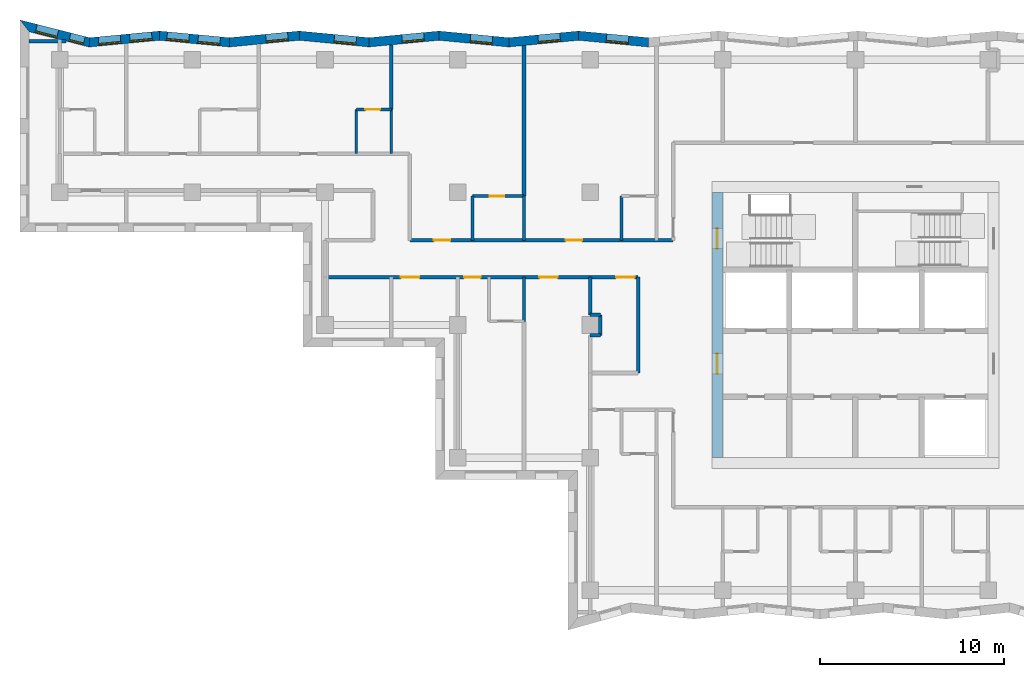
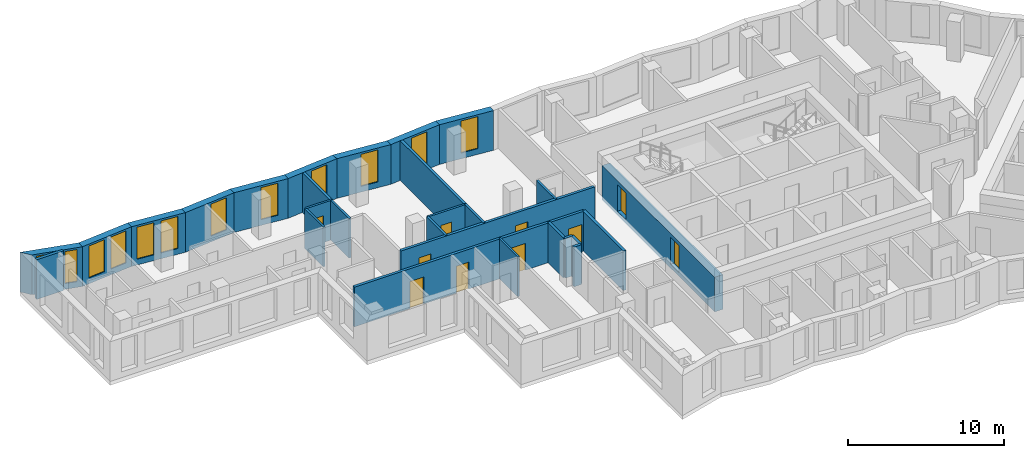
# One storey, part 5 of 12: 28 walls, 12 windows, 10 doors, 22 openings.
"""IFC4 building model written with IfcOpenShell, lengths in metres."""

import ifcopenshell
import ifcopenshell.guid

model = None  # the IFC model being written
_history = None  # IfcOwnerHistory: only IFC2X3 demands one
_inside = {}  # id of a spatial element -> (the spatial element, [elements in it])
_under = {}  # id of a project, library or spatial element -> (it, [spatial elements below it])
_declared = {}  # id of a project -> (the project, [libraries it declares])
_typed = {}  # id of a type object -> (the type object, [elements of that type])
_made_of = {}  # id of a material, layer set ... -> (it, [elements and type objects made of it])


def new_model(schema):
    """Start an empty IFC model of exactly this schema.

    Asked for "IFC4X3", IfcOpenShell would pick the latest addendum, in which some entities
    have other attributes; the version numbers below select the first issue.
    IFC2X3 requires an IfcOwnerHistory on every rooted entity: one is made here for all.
    """
    global model, _history
    if schema == "IFC4X3":
        model = ifcopenshell.file(schema_version=(4, 3, 0, 0))
    else:
        model = ifcopenshell.file(schema=schema)
    _inside.clear()
    _under.clear()
    _declared.clear()
    _typed.clear()
    _made_of.clear()
    _history = None
    if model.schema == "IFC2X3":
        org = make("IfcOrganization", Name="unknown")
        user = make(
            "IfcPersonAndOrganization",
            ThePerson=make("IfcPerson", FamilyName="unknown"),
            TheOrganization=org,
        )
        app = make(
            "IfcApplication",
            ApplicationDeveloper=org,
            Version="unknown",
            ApplicationFullName="unknown",
            ApplicationIdentifier="unknown",
        )
        _history = make(
            "IfcOwnerHistory",
            OwningUser=user,
            OwningApplication=app,
            ChangeAction="ADDED",
            CreationDate=0,
        )
    return model


def make(cls, **values):
    """One entity of the class cls with the attributes given. An attribute that is None is left unset."""
    return model.create_entity(
        cls, **{name: value for name, value in values.items() if value is not None}
    )


def rooted(cls, **values):
    """An entity with a GlobalId (a new one), such as an element, a storey or a relation."""
    return make(cls, GlobalId=ifcopenshell.guid.new(), OwnerHistory=_history, **values)


def si_unit(unit_type, name, prefix=None):
    """IfcSIUnit, for example si_unit("LENGTHUNIT", "METRE", prefix="MILLI")."""
    return make("IfcSIUnit", UnitType=unit_type, Prefix=prefix, Name=name)


def assignment(units):
    """IfcUnitAssignment: the units of a project."""
    return None if units is None else make("IfcUnitAssignment", Units=units)


def point(xyz):
    """IfcCartesianPoint."""
    return None if xyz is None else make("IfcCartesianPoint", Coordinates=xyz)


def direction(xyz):
    """IfcDirection."""
    return None if xyz is None else make("IfcDirection", DirectionRatios=xyz)


def frame(location, z_axis=None, x_axis=None):
    """IfcAxis2Placement3D, a coordinate frame: its origin and axes. An axis left out is left unset."""
    return make(
        "IfcAxis2Placement3D",
        Location=point(location),
        Axis=direction(z_axis),
        RefDirection=direction(x_axis),
    )


def frame_2d(location, x_axis=None):
    """IfcAxis2Placement2D, a coordinate frame in the plane: its origin and x axis."""
    return make(
        "IfcAxis2Placement2D", Location=point(location), RefDirection=direction(x_axis)
    )


def origin():
    """The frame at (0, 0, 0) with its axes left unset."""
    return frame((0.0, 0.0, 0.0))


def place(relative_to, where):
    """IfcLocalPlacement: puts the frame where relative to a parent placement (None: the world)."""
    return make(
        "IfcLocalPlacement", PlacementRelTo=relative_to, RelativePlacement=where
    )


def context(
    kind, dimensions, precision=None, world=None, true_north=None, identifier=None
):
    """IfcGeometricRepresentationContext, for example the 3D "Model" context."""
    return make(
        "IfcGeometricRepresentationContext",
        ContextIdentifier=identifier,
        ContextType=kind,
        CoordinateSpaceDimension=dimensions,
        Precision=precision,
        WorldCoordinateSystem=world,
        TrueNorth=true_north,
    )


def subcontext(parent, identifier, kind, view, scale=None):
    """IfcGeometricRepresentationSubContext, for example "Body" below "Model"."""
    return make(
        "IfcGeometricRepresentationSubContext",
        ContextIdentifier=identifier,
        ContextType=kind,
        ParentContext=parent,
        TargetScale=scale,
        TargetView=view,
    )


def project(units=None, contexts=None):
    """IfcProject with its units and contexts."""
    return rooted(
        "IfcProject",
        Name="project",
        RepresentationContexts=contexts,
        UnitsInContext=assignment(units),
    )


def spatial(cls, under=None, at=None, **own):
    """A site, building, storey or space (cls), placed at a placement, below another one or the project."""
    s = rooted(cls, ObjectPlacement=at, **own)
    if under is not None:
        _under.setdefault(under.id(), (under, []))[1].append(s)
    return s


def polyline(points):
    """IfcPolyline through the points."""
    return make("IfcPolyline", Points=[point(p) for p in points])


def profile(cls, at=None, kind="AREA", **sizes):
    """A parametric profile (cls). Its sizes go by their IFC names, for example OverallWidth=200.0."""
    return make(cls, ProfileType=kind, Position=at, **sizes)


def rectangle(**sizes):
    """IfcRectangleProfileDef."""
    return profile("IfcRectangleProfileDef", **sizes)


def outline(outer, holes=None, kind="AREA"):
    """IfcArbitraryClosedProfileDef: a profile drawn as a closed curve; with holes, ...WithVoids."""
    if holes is None:
        return make("IfcArbitraryClosedProfileDef", ProfileType=kind, OuterCurve=outer)
    return make(
        "IfcArbitraryProfileDefWithVoids",
        ProfileType=kind,
        OuterCurve=outer,
        InnerCurves=holes,
    )


def extrude(swept, where, along, depth):
    """IfcExtrudedAreaSolid: the profile swept, set in the frame where, extruded along a direction by depth."""
    return make(
        "IfcExtrudedAreaSolid",
        SweptArea=swept,
        Position=where,
        ExtrudedDirection=direction(along),
        Depth=depth,
    )


def shape(context_of_items, identifier, shape_type, items):
    """IfcShapeRepresentation: the items that make up one representation, for example the "Body"."""
    return make(
        "IfcShapeRepresentation",
        ContextOfItems=context_of_items,
        RepresentationIdentifier=identifier,
        RepresentationType=shape_type,
        Items=items,
    )


def material(Name=None, Category=None):
    """IfcMaterial."""
    return make("IfcMaterial", Name=Name, Category=Category)


def layer(
    of_material, thickness, ventilated=None, Name=None, Category=None, Priority=None
):
    """IfcMaterialLayer: one layer of a wall or slab, of a material (None: an air gap)."""
    return make(
        "IfcMaterialLayer",
        Material=of_material,
        LayerThickness=thickness,
        IsVentilated=ventilated,
        Name=Name,
        Category=Category,
        Priority=Priority,
    )


def layer_set(layers, Name=None):
    """IfcMaterialLayerSet."""
    return make("IfcMaterialLayerSet", MaterialLayers=layers, LayerSetName=Name)


def made_of(thing, what):
    """Note that an element or type object is made of a material, layer set ...; save() writes the relation."""
    if what is not None:
        _made_of.setdefault(what.id(), (what, []))[1].append(thing)
    return thing


def type_object(cls, material=None, **own):
    """A type object (cls), such as IfcWallType, which elements share."""
    return made_of(rooted(cls, **own), material)


def element(
    cls,
    number,
    at=None,
    inside=None,
    cuts=None,
    type_object=None,
    material=None,
    context=None,
    identifier="Body",
    shape_type=None,
    held_by="IfcProductDefinitionShape",
    body=None,
    shapes=None,
    **own,
):
    """One element of the class cls, such as IfcWall. Its Tag is "e" and its number.

    at: its placement. inside: the storey or other place that contains it. cuts: it is an
    opening in that element (IfcRelVoidsElement). A single representation is given by context,
    identifier, shape_type and body (its items); several are given by shapes. held_by: the class
    of the entity that holds the representations. save() writes the other relations.
    """
    e = rooted(cls, Tag="e%d" % number, ObjectPlacement=at, **own)
    if body is not None:
        shapes = [shape(context, identifier, shape_type, body)]
    if shapes is not None:
        e.Representation = make(held_by, Representations=shapes)
    if inside is not None:
        _inside.setdefault(inside.id(), (inside, []))[1].append(e)
    if cuts is not None:
        rooted(
            "IfcRelVoidsElement", RelatingBuildingElement=cuts, RelatedOpeningElement=e
        )
    if type_object is not None:
        _typed.setdefault(type_object.id(), (type_object, []))[1].append(e)
    return made_of(e, material)


def fill(opening, filler):
    """IfcRelFillsElement: the door or window that sits in an opening."""
    return rooted(
        "IfcRelFillsElement",
        RelatingOpeningElement=opening,
        RelatedBuildingElement=filler,
    )


def aggregate(whole, parts):
    """IfcRelAggregates: a whole, such as a stair, and the parts it consists of."""
    return rooted("IfcRelAggregates", RelatingObject=whole, RelatedObjects=parts)


def save(model, path):
    """Write the relations noted so far, then the file.

    IfcRelAggregates (storeys below a building ...), IfcRelContainedInSpatialStructure (elements
    in a storey), IfcRelDefinesByType, IfcRelAssociatesMaterial and IfcRelDeclares: one each for
    every whole, place, type object, material and project.
    """
    for whole, parts in _under.values():
        aggregate(whole, parts)
    for where, things in _inside.values():
        rooted(
            "IfcRelContainedInSpatialStructure",
            RelatedElements=things,
            RelatingStructure=where,
        )
    for kind, things in _typed.values():
        rooted("IfcRelDefinesByType", RelatedObjects=things, RelatingType=kind)
    for what, things in _made_of.values():
        rooted("IfcRelAssociatesMaterial", RelatedObjects=things, RelatingMaterial=what)
    for by, libraries in _declared.values():
        rooted("IfcRelDeclares", RelatingContext=by, RelatedDefinitions=libraries)
    model.write(path)


model = new_model("IFC4")

# Units and contexts
model_context = context("Model", 3, precision=1e-05, world=origin(), true_north=direction((0.0, 1.0)))
body_context = subcontext(model_context, "Body", "Model", "MODEL_VIEW")
ifc_project = project(units=[si_unit("LENGTHUNIT", "METRE"), si_unit("AREAUNIT", "SQUARE_METRE"), si_unit("VOLUMEUNIT", "CUBIC_METRE"), si_unit("PLANEANGLEUNIT", "RADIAN"), si_unit("MASSUNIT", "GRAM", prefix="KILO")], contexts=[model_context])

# Site, building, storey
site_placement = place(None, origin())
site = spatial("IfcSite", under=ifc_project, at=site_placement, CompositionType="ELEMENT")
building_placement = place(site_placement, origin())
building = spatial("IfcBuilding", under=site, at=building_placement, Name="Windrow Commons", CompositionType="ELEMENT")
storey_placement = place(building_placement, frame((0.0, 0.0, 142.2)))
storey = spatial("IfcBuildingStorey", under=building, at=storey_placement, Name="L38", CompositionType="ELEMENT", Elevation=142.2)

# Wall, opening, window
ifc_material_1 = material(Name="Brick masonry, red clay brick", Category="masonry")
ifc_layer_1 = layer(ifc_material_1, 0.5)
ifc_layer_set_1 = layer_set([ifc_layer_1], Name="Brick facade wall 500")
wall_type_1 = type_object("IfcWallType", Name="Brick facade wall 500", PredefinedType="SOLIDWALL", material=ifc_layer_set_1)
wall_1_placement = place(storey_placement, frame((53.5581, 72.9489, 0.0), z_axis=(0.0, 0.0, 1.0), x_axis=(-0.9954966527, 0.0947967005, 0.0)))
wall_1 = element("IfcWall", 1, at=wall_1_placement, inside=storey, type_object=wall_type_1, Name="Brick facade wall L38 26", PredefinedType="SOLIDWALL", context=body_context, shape_type="SweptSolid", body=[
    extrude(outline(polyline([(0.0238, -0.25), (3.832, -0.25), (3.7844, 0.25), (-0.0238, 0.25), (0.0238, -0.25)])), origin(), (0.0, 0.0, 1.0), 3.1),
])
opening_1_placement = place(wall_1_placement, frame((1.0862, 0.0, 0.45)))
opening_1 = element("IfcOpeningElement", 2, at=opening_1_placement, cuts=wall_1, Name="Opening W7E", PredefinedType="OPENING", context=body_context, shape_type="SweptSolid", body=[
    extrude(rectangle(XDim=1.2, YDim=2.5, at=frame_2d((0.6, 1.25))), frame((0.0, 0.26, 0.0), z_axis=(0.0, -1.0, 0.0), x_axis=(1.0, 0.0, 0.0)), (0.0, 0.0, 1.0), 0.52),
])
ifc_material_2 = material(Name="Clear float glass in anodised aluminium frame", Category="aluminium")
window_type_1 = type_object("IfcWindowType", Name="Window W7 notch 1200x2500", PartitioningType="SINGLE_PANEL", PredefinedType="WINDOW", material=ifc_material_2)
window_1_placement = place(opening_1_placement, origin())
window_1 = element("IfcWindow", 3, at=window_1_placement, inside=storey, type_object=window_type_1, Name="Window L38 26.1", OverallHeight=2.5, OverallWidth=1.2, PartitioningType="SINGLE_PANEL", PredefinedType="WINDOW", context=body_context, shape_type="SweptSolid", body=[
    extrude(rectangle(XDim=1.2, YDim=2.5, at=frame_2d((0.6, 1.25))), frame((0.0, 0.18, 0.0), z_axis=(0.0, -1.0, 0.0), x_axis=(1.0, 0.0, 0.0)), (0.0, 0.0, 1.0), 0.06),
])
fill(opening_1, window_1)

wall_2_placement = place(storey_placement, frame((49.7671, 73.3099, 0.0), z_axis=(0.0, 0.0, 1.0), x_axis=(-0.9954966527, -0.0947967005, 0.0)))
wall_2 = element("IfcWall", 4, at=wall_2_placement, inside=storey, type_object=wall_type_1, Name="Brick facade wall L38 27", PredefinedType="SOLIDWALL", context=body_context, shape_type="SweptSolid", body=[
    extrude(outline(polyline([(-0.0238, -0.25), (3.7844, -0.25), (3.832, 0.25), (0.0238, 0.25), (-0.0238, -0.25)])), origin(), (0.0, 0.0, 1.0), 3.1),
])
opening_2_placement = place(wall_2_placement, frame((1.0022, 0.0, 0.45)))
opening_2 = element("IfcOpeningElement", 5, at=opening_2_placement, cuts=wall_2, Name="Opening W7E", PredefinedType="OPENING", context=body_context, shape_type="SweptSolid", body=[
    extrude(rectangle(XDim=1.2, YDim=2.5, at=frame_2d((0.6, 1.25))), frame((0.0, 0.26, 0.0), z_axis=(0.0, -1.0, 0.0), x_axis=(1.0, 0.0, 0.0)), (0.0, 0.0, 1.0), 0.52),
])
window_2_placement = place(opening_2_placement, origin())
window_2 = element("IfcWindow", 6, at=window_2_placement, inside=storey, type_object=window_type_1, Name="Window L38 27.1", OverallHeight=2.5, OverallWidth=1.2, PartitioningType="SINGLE_PANEL", PredefinedType="WINDOW", context=body_context, shape_type="SweptSolid", body=[
    extrude(rectangle(XDim=1.2, YDim=2.5, at=frame_2d((0.6, 1.25))), frame((0.0, 0.18, 0.0), z_axis=(0.0, -1.0, 0.0), x_axis=(1.0, 0.0, 0.0)), (0.0, 0.0, 1.0), 0.06),
])
fill(opening_2, window_2)

wall_3_placement = place(storey_placement, frame((45.9761, 72.9489, 0.0), z_axis=(0.0, 0.0, 1.0), x_axis=(-0.9954966527, 0.0947967005, 0.0)))
wall_3 = element("IfcWall", 7, at=wall_3_placement, inside=storey, type_object=wall_type_1, Name="Brick facade wall L38 28", PredefinedType="SOLIDWALL", context=body_context, shape_type="SweptSolid", body=[
    extrude(outline(polyline([(0.0238, -0.25), (3.832, -0.25), (3.7844, 0.25), (-0.0238, 0.25), (0.0238, -0.25)])), origin(), (0.0, 0.0, 1.0), 3.1),
])
opening_3_placement = place(wall_3_placement, frame((0.8943, 0.0, 0.45)))
opening_3 = element("IfcOpeningElement", 8, at=opening_3_placement, cuts=wall_3, Name="Opening W7E", PredefinedType="OPENING", context=body_context, shape_type="SweptSolid", body=[
    extrude(rectangle(XDim=1.2, YDim=2.5, at=frame_2d((0.6, 1.25))), frame((0.0, 0.26, 0.0), z_axis=(0.0, -1.0, 0.0), x_axis=(1.0, 0.0, 0.0)), (0.0, 0.0, 1.0), 0.52),
])
window_3_placement = place(opening_3_placement, origin())
window_3 = element("IfcWindow", 9, at=window_3_placement, inside=storey, type_object=window_type_1, Name="Window L38 28.1", OverallHeight=2.5, OverallWidth=1.2, PartitioningType="SINGLE_PANEL", PredefinedType="WINDOW", context=body_context, shape_type="SweptSolid", body=[
    extrude(rectangle(XDim=1.2, YDim=2.5, at=frame_2d((0.6, 1.25))), frame((0.0, 0.18, 0.0), z_axis=(0.0, -1.0, 0.0), x_axis=(1.0, 0.0, 0.0)), (0.0, 0.0, 1.0), 0.06),
])
fill(opening_3, window_3)

wall_4_placement = place(storey_placement, frame((42.1851, 73.3099, 0.0), z_axis=(0.0, 0.0, 1.0), x_axis=(-0.9954968887, -0.0947942225, 0.0)))
wall_4 = element("IfcWall", 10, at=wall_4_placement, inside=storey, type_object=wall_type_1, Name="Brick facade wall L38 29", PredefinedType="SOLIDWALL", context=body_context, shape_type="SweptSolid", body=[
    extrude(outline(polyline([(-0.0238, -0.25), (3.7844, -0.25), (3.832, 0.25), (0.0238, 0.25), (-0.0238, -0.25)])), origin(), (0.0, 0.0, 1.0), 3.1),
])
opening_4_placement = place(wall_4_placement, frame((0.8103, 0.0, 0.45)))
opening_4 = element("IfcOpeningElement", 11, at=opening_4_placement, cuts=wall_4, Name="Opening W7E", PredefinedType="OPENING", context=body_context, shape_type="SweptSolid", body=[
    extrude(rectangle(XDim=1.2, YDim=2.5, at=frame_2d((0.6, 1.25))), frame((0.0, 0.26, 0.0), z_axis=(0.0, -1.0, 0.0), x_axis=(1.0, 0.0, 0.0)), (0.0, 0.0, 1.0), 0.52),
])
window_4_placement = place(opening_4_placement, origin())
window_4 = element("IfcWindow", 12, at=window_4_placement, inside=storey, type_object=window_type_1, Name="Window L38 29.1", OverallHeight=2.5, OverallWidth=1.2, PartitioningType="SINGLE_PANEL", PredefinedType="WINDOW", context=body_context, shape_type="SweptSolid", body=[
    extrude(rectangle(XDim=1.2, YDim=2.5, at=frame_2d((0.6, 1.25))), frame((0.0, 0.18, 0.0), z_axis=(0.0, -1.0, 0.0), x_axis=(1.0, 0.0, 0.0)), (0.0, 0.0, 1.0), 0.06),
])
fill(opening_4, window_4)

wall_5_placement = place(storey_placement, frame((38.394, 72.9489, 0.0), z_axis=(0.0, 0.0, 1.0), x_axis=(-0.9954966527, 0.0947967005, 0.0)))
wall_5 = element("IfcWall", 13, at=wall_5_placement, inside=storey, type_object=wall_type_1, Name="Brick facade wall L38 30", PredefinedType="SOLIDWALL", context=body_context, shape_type="SweptSolid", body=[
    extrude(outline(polyline([(0.0238, -0.25), (3.832, -0.25), (3.7844, 0.25), (-0.0238, 0.25), (0.0238, -0.25)])), origin(), (0.0, 0.0, 1.0), 3.1),
])
opening_5_placement = place(wall_5_placement, frame((0.7024, 0.0, 0.45)))
opening_5 = element("IfcOpeningElement", 14, at=opening_5_placement, cuts=wall_5, Name="Opening W7E", PredefinedType="OPENING", context=body_context, shape_type="SweptSolid", body=[
    extrude(rectangle(XDim=1.2, YDim=2.5, at=frame_2d((0.6, 1.25))), frame((0.0, 0.26, 0.0), z_axis=(0.0, -1.0, 0.0), x_axis=(1.0, 0.0, 0.0)), (0.0, 0.0, 1.0), 0.52),
])
window_5_placement = place(opening_5_placement, origin())
window_5 = element("IfcWindow", 15, at=window_5_placement, inside=storey, type_object=window_type_1, Name="Window L38 30.1", OverallHeight=2.5, OverallWidth=1.2, PartitioningType="SINGLE_PANEL", PredefinedType="WINDOW", context=body_context, shape_type="SweptSolid", body=[
    extrude(rectangle(XDim=1.2, YDim=2.5, at=frame_2d((0.6, 1.25))), frame((0.0, 0.18, 0.0), z_axis=(0.0, -1.0, 0.0), x_axis=(1.0, 0.0, 0.0)), (0.0, 0.0, 1.0), 0.06),
])
fill(opening_5, window_5)

wall_6_placement = place(storey_placement, frame((34.603, 73.3099, 0.0), z_axis=(0.0, 0.0, 1.0), x_axis=(-0.9954966527, -0.0947967005, 0.0)))
wall_6 = element("IfcWall", 16, at=wall_6_placement, inside=storey, type_object=wall_type_1, Name="Brick facade wall L38 31", PredefinedType="SOLIDWALL", context=body_context, shape_type="SweptSolid", body=[
    extrude(outline(polyline([(-0.0238, -0.25), (3.7844, -0.25), (3.832, 0.25), (0.0238, 0.25), (-0.0238, -0.25)])), origin(), (0.0, 0.0, 1.0), 3.1),
])
opening_6_placement = place(wall_6_placement, frame((0.6184, 0.0, 0.45)))
opening_6 = element("IfcOpeningElement", 17, at=opening_6_placement, cuts=wall_6, Name="Opening W7E", PredefinedType="OPENING", context=body_context, shape_type="SweptSolid", body=[
    extrude(rectangle(XDim=1.2, YDim=2.5, at=frame_2d((0.6, 1.25))), frame((0.0, 0.26, 0.0), z_axis=(0.0, -1.0, 0.0), x_axis=(1.0, 0.0, 0.0)), (0.0, 0.0, 1.0), 0.52),
])
window_6_placement = place(opening_6_placement, origin())
window_6 = element("IfcWindow", 18, at=window_6_placement, inside=storey, type_object=window_type_1, Name="Window L38 31.1", OverallHeight=2.5, OverallWidth=1.2, PartitioningType="SINGLE_PANEL", PredefinedType="WINDOW", context=body_context, shape_type="SweptSolid", body=[
    extrude(rectangle(XDim=1.2, YDim=2.5, at=frame_2d((0.6, 1.25))), frame((0.0, 0.18, 0.0), z_axis=(0.0, -1.0, 0.0), x_axis=(1.0, 0.0, 0.0)), (0.0, 0.0, 1.0), 0.06),
])
fill(opening_6, window_6)

# Wall, openings, windows
wall_7_placement = place(storey_placement, frame((30.812, 72.9489, 0.0), z_axis=(0.0, 0.0, 1.0), x_axis=(-0.9954966527, 0.0947967005, 0.0)))
wall_7 = element("IfcWall", 19, at=wall_7_placement, inside=storey, type_object=wall_type_1, Name="Brick facade wall L38 32", PredefinedType="SOLIDWALL", context=body_context, shape_type="SweptSolid", body=[
    extrude(outline(polyline([(0.0238, -0.25), (3.832, -0.25), (3.7844, 0.25), (-0.0238, 0.25), (0.0238, -0.25)])), origin(), (0.0, 0.0, 1.0), 3.1),
])
opening_7_placement = place(wall_7_placement, frame((0.5106, 0.0, 0.45)))
opening_7 = element("IfcOpeningElement", 20, at=opening_7_placement, cuts=wall_7, Name="Opening W7E", PredefinedType="OPENING", context=body_context, shape_type="SweptSolid", body=[
    extrude(rectangle(XDim=1.2, YDim=2.5, at=frame_2d((0.6, 1.25))), frame((0.0, 0.26, 0.0), z_axis=(0.0, -1.0, 0.0), x_axis=(1.0, 0.0, 0.0)), (0.0, 0.0, 1.0), 0.52),
])
opening_8_placement = place(wall_7_placement, frame((2.2027, 0.0, 0.45)))
opening_8 = element("IfcOpeningElement", 21, at=opening_8_placement, cuts=wall_7, Name="Opening W7E", PredefinedType="OPENING", context=body_context, shape_type="SweptSolid", body=[
    extrude(rectangle(XDim=1.2, YDim=2.5, at=frame_2d((0.6, 1.25))), frame((0.0, 0.26, 0.0), z_axis=(0.0, -1.0, 0.0), x_axis=(1.0, 0.0, 0.0)), (0.0, 0.0, 1.0), 0.52),
])
window_7_placement = place(opening_7_placement, origin())
window_7 = element("IfcWindow", 22, at=window_7_placement, inside=storey, type_object=window_type_1, Name="Window L38 32.1", OverallHeight=2.5, OverallWidth=1.2, PartitioningType="SINGLE_PANEL", PredefinedType="WINDOW", context=body_context, shape_type="SweptSolid", body=[
    extrude(rectangle(XDim=1.2, YDim=2.5, at=frame_2d((0.6, 1.25))), frame((0.0, 0.18, 0.0), z_axis=(0.0, -1.0, 0.0), x_axis=(1.0, 0.0, 0.0)), (0.0, 0.0, 1.0), 0.06),
])
fill(opening_7, window_7)
window_8_placement = place(opening_8_placement, origin())
window_8 = element("IfcWindow", 23, at=window_8_placement, inside=storey, type_object=window_type_1, Name="Window L38 32.2", OverallHeight=2.5, OverallWidth=1.2, PartitioningType="SINGLE_PANEL", PredefinedType="WINDOW", context=body_context, shape_type="SweptSolid", body=[
    extrude(rectangle(XDim=1.2, YDim=2.5, at=frame_2d((0.6, 1.25))), frame((0.0, 0.18, 0.0), z_axis=(0.0, -1.0, 0.0), x_axis=(1.0, 0.0, 0.0)), (0.0, 0.0, 1.0), 0.06),
])
fill(opening_8, window_8)

wall_8_placement = place(storey_placement, frame((27.021, 73.3099, 0.0), z_axis=(0.0, 0.0, 1.0), x_axis=(-0.9954953552, -0.0948103255, 0.0)))
wall_8 = element("IfcWall", 24, at=wall_8_placement, inside=storey, type_object=wall_type_1, Name="Brick facade wall L38 33", PredefinedType="SOLIDWALL", context=body_context, shape_type="SweptSolid", body=[
    extrude(outline(polyline([(-0.0238, -0.25), (3.7844, -0.25), (3.871, 0.25), (0.0238, 0.25), (-0.0238, -0.25)])), origin(), (0.0, 0.0, 1.0), 3.1),
])
opening_9_placement = place(wall_8_placement, frame((0.4265, 0.0, 0.45)))
opening_9 = element("IfcOpeningElement", 25, at=opening_9_placement, cuts=wall_8, Name="Opening W7E", PredefinedType="OPENING", context=body_context, shape_type="SweptSolid", body=[
    extrude(rectangle(XDim=1.2, YDim=2.5, at=frame_2d((0.6, 1.25))), frame((0.0, 0.26, 0.0), z_axis=(0.0, -1.0, 0.0), x_axis=(1.0, 0.0, 0.0)), (0.0, 0.0, 1.0), 0.52),
])
opening_10_placement = place(wall_8_placement, frame((2.1285, 0.0, 0.45)))
opening_10 = element("IfcOpeningElement", 26, at=opening_10_placement, cuts=wall_8, Name="Opening W7E", PredefinedType="OPENING", context=body_context, shape_type="SweptSolid", body=[
    extrude(rectangle(XDim=1.2, YDim=2.5, at=frame_2d((0.6, 1.25))), frame((0.0, 0.26, 0.0), z_axis=(0.0, -1.0, 0.0), x_axis=(1.0, 0.0, 0.0)), (0.0, 0.0, 1.0), 0.52),
])
window_9_placement = place(opening_9_placement, origin())
window_9 = element("IfcWindow", 27, at=window_9_placement, inside=storey, type_object=window_type_1, Name="Window L38 33.1", OverallHeight=2.5, OverallWidth=1.2, PartitioningType="SINGLE_PANEL", PredefinedType="WINDOW", context=body_context, shape_type="SweptSolid", body=[
    extrude(rectangle(XDim=1.2, YDim=2.5, at=frame_2d((0.6, 1.25))), frame((0.0, 0.18, 0.0), z_axis=(0.0, -1.0, 0.0), x_axis=(1.0, 0.0, 0.0)), (0.0, 0.0, 1.0), 0.06),
])
fill(opening_9, window_9)
window_10_placement = place(opening_10_placement, origin())
window_10 = element("IfcWindow", 28, at=window_10_placement, inside=storey, type_object=window_type_1, Name="Window L38 33.2", OverallHeight=2.5, OverallWidth=1.2, PartitioningType="SINGLE_PANEL", PredefinedType="WINDOW", context=body_context, shape_type="SweptSolid", body=[
    extrude(rectangle(XDim=1.2, YDim=2.5, at=frame_2d((0.6, 1.25))), frame((0.0, 0.18, 0.0), z_axis=(0.0, -1.0, 0.0), x_axis=(1.0, 0.0, 0.0)), (0.0, 0.0, 1.0), 0.06),
])
fill(opening_10, window_10)

wall_9_placement = place(storey_placement, frame((23.2106, 72.947, 0.0), z_axis=(0.0, 0.0, 1.0), x_axis=(-0.9693406445, 0.2457208068, 0.0)))
wall_9 = element("IfcWall", 29, at=wall_9_placement, inside=storey, type_object=wall_type_1, Name="Brick facade wall L38 34", PredefinedType="SOLIDWALL", context=body_context, shape_type="SweptSolid", body=[
    extrude(outline(polyline([(0.0433, -0.25), (3.9542, -0.25), (3.3117, 0.25), (-0.0433, 0.25), (0.0433, -0.25)])), origin(), (0.0, 0.0, 1.0), 3.1),
])
opening_11_placement = place(wall_9_placement, frame((1.7866, 0.0, 0.45)))
opening_11 = element("IfcOpeningElement", 30, at=opening_11_placement, cuts=wall_9, Name="Opening W7E", PredefinedType="OPENING", context=body_context, shape_type="SweptSolid", body=[
    extrude(rectangle(XDim=1.2, YDim=2.5, at=frame_2d((0.6, 1.25))), frame((0.0, 0.26, 0.0), z_axis=(0.0, -1.0, 0.0), x_axis=(1.0, 0.0, 0.0)), (0.0, 0.0, 1.0), 0.52),
])
opening_12_placement = place(wall_9_placement, frame((0.3, 0.0, 0.45)))
opening_12 = element("IfcOpeningElement", 31, at=opening_12_placement, cuts=wall_9, Name="Opening W1N", PredefinedType="OPENING", context=body_context, shape_type="SweptSolid", body=[
    extrude(rectangle(XDim=0.8, YDim=2.5, at=frame_2d((0.4, 1.25))), frame((0.0, 0.26, 0.0), z_axis=(0.0, -1.0, 0.0), x_axis=(1.0, 0.0, 0.0)), (0.0, 0.0, 1.0), 0.52),
])
ifc_material_3 = material(Name="Clear float glass in anodised aluminium frame", Category="aluminium")
window_type_2 = type_object("IfcWindowType", Name="Window W1N slit 800x2500", PartitioningType="SINGLE_PANEL", PredefinedType="WINDOW", material=ifc_material_3)
window_11_placement = place(opening_12_placement, origin())
window_11 = element("IfcWindow", 32, at=window_11_placement, inside=storey, type_object=window_type_2, Name="Window L38 34.1A", OverallHeight=2.5, OverallWidth=0.8, PartitioningType="SINGLE_PANEL", PredefinedType="WINDOW", context=body_context, shape_type="SweptSolid", body=[
    extrude(rectangle(XDim=0.8, YDim=2.5, at=frame_2d((0.4, 1.25))), frame((0.0, 0.18, 0.0), z_axis=(0.0, -1.0, 0.0), x_axis=(1.0, 0.0, 0.0)), (0.0, 0.0, 1.0), 0.06),
])
fill(opening_12, window_11)
window_12_placement = place(opening_11_placement, origin())
window_12 = element("IfcWindow", 33, at=window_12_placement, inside=storey, type_object=window_type_1, Name="Window L38 34.2", OverallHeight=2.5, OverallWidth=1.2, PartitioningType="SINGLE_PANEL", PredefinedType="WINDOW", context=body_context, shape_type="SweptSolid", body=[
    extrude(rectangle(XDim=1.2, YDim=2.5, at=frame_2d((0.6, 1.25))), frame((0.0, 0.18, 0.0), z_axis=(0.0, -1.0, 0.0), x_axis=(1.0, 0.0, 0.0)), (0.0, 0.0, 1.0), 0.06),
])
fill(opening_11, window_12)

# Wall, openings, doors
ifc_material_4 = material(Name="Blockwork partition", Category="masonry")
ifc_layer_2 = layer(ifc_material_4, 0.2)
ifc_layer_set_2 = layer_set([ifc_layer_2], Name="IW-CORRIDOR-200")
wall_type_2 = type_object("IfcWallType", Name="IW-CORRIDOR-200", PredefinedType="PARTITIONING", material=ifc_layer_set_2)
wall_10_placement = place(storey_placement, frame((36.0, 60.2, 0.0), z_axis=(0.0, 0.0, 1.0), x_axis=(1.0, 0.0, 0.0)))
wall_10 = element("IfcWall", 34, at=wall_10_placement, inside=storey, type_object=wall_type_2, Name="W-L38-W003", PredefinedType="PARTITIONING", context=body_context, shape_type="SweptSolid", body=[
    extrude(rectangle(XDim=17.0, YDim=0.2, at=frame_2d((8.5, 0.0))), origin(), (0.0, 0.0, 1.0), 3.1),
])
opening_13_placement = place(wall_10_placement, frame((15.805, 0.0, 0.0)))
opening_13 = element("IfcOpeningElement", 35, at=opening_13_placement, cuts=wall_10, Name="Opening D410F", PredefinedType="OPENING", context=body_context, shape_type="SweptSolid", body=[
    extrude(rectangle(XDim=1.0, YDim=2.1, at=frame_2d((0.5, 1.05))), frame((0.0, 0.11, 0.0), z_axis=(0.0, -1.0, 0.0), x_axis=(1.0, 0.0, 0.0)), (0.0, 0.0, 1.0), 0.22),
])
opening_14_placement = place(wall_10_placement, frame((4.125, 0.0, 0.0)))
opening_14 = element("IfcOpeningElement", 36, at=opening_14_placement, cuts=wall_10, Name="Opening D310F", PredefinedType="OPENING", context=body_context, shape_type="SweptSolid", body=[
    extrude(rectangle(XDim=1.0, YDim=2.1, at=frame_2d((0.5, 1.05))), frame((0.0, 0.11, 0.0), z_axis=(0.0, -1.0, 0.0), x_axis=(1.0, 0.0, 0.0)), (0.0, 0.0, 1.0), 0.22),
])
opening_15_placement = place(wall_10_placement, frame((7.55, 0.0, 0.0)))
opening_15 = element("IfcOpeningElement", 37, at=opening_15_placement, cuts=wall_10, Name="Opening D109S", PredefinedType="OPENING", context=body_context, shape_type="SweptSolid", body=[
    extrude(rectangle(XDim=0.9, YDim=2.1, at=frame_2d((0.45, 1.05))), frame((0.0, 0.11, 0.0), z_axis=(0.0, -1.0, 0.0), x_axis=(1.0, 0.0, 0.0)), (0.0, 0.0, 1.0), 0.22),
])
opening_16_placement = place(wall_10_placement, frame((11.635, 0.0, 0.0)))
opening_16 = element("IfcOpeningElement", 38, at=opening_16_placement, cuts=wall_10, Name="Opening D310F", PredefinedType="OPENING", context=body_context, shape_type="SweptSolid", body=[
    extrude(rectangle(XDim=1.0, YDim=2.1, at=frame_2d((0.5, 1.05))), frame((0.0, 0.11, 0.0), z_axis=(0.0, -1.0, 0.0), x_axis=(1.0, 0.0, 0.0)), (0.0, 0.0, 1.0), 0.22),
])
ifc_material_5 = material(Name="Timber door leaf", Category="wood")
door_type_1 = type_object("IfcDoorType", Name="DT-AMENITY-1000", OperationType="SINGLE_SWING_LEFT", PredefinedType="DOOR", material=ifc_material_5)
door_1_placement = place(opening_14_placement, origin())
door_1 = element("IfcDoor", 39, at=door_1_placement, inside=storey, type_object=door_type_1, Name="D-L38-D012", OperationType="SINGLE_SWING_RIGHT", OverallHeight=2.1, OverallWidth=1.0, PredefinedType="DOOR", context=body_context, shape_type="SweptSolid", body=[
    extrude(rectangle(XDim=1.0, YDim=2.1, at=frame_2d((0.5, 1.05))), frame((0.0, 0.025, 0.0), z_axis=(0.0, -1.0, 0.0), x_axis=(1.0, 0.0, 0.0)), (0.0, 0.0, 1.0), 0.05),
])
fill(opening_14, door_1)
door_2_placement = place(opening_16_placement, origin())
door_2 = element("IfcDoor", 40, at=door_2_placement, inside=storey, type_object=door_type_1, Name="D-L38-D023", OperationType="SINGLE_SWING_RIGHT", OverallHeight=2.1, OverallWidth=1.0, PredefinedType="DOOR", context=body_context, shape_type="SweptSolid", body=[
    extrude(rectangle(XDim=1.0, YDim=2.1, at=frame_2d((0.5, 1.05))), frame((0.0, 0.025, 0.0), z_axis=(0.0, -1.0, 0.0), x_axis=(1.0, 0.0, 0.0)), (0.0, 0.0, 1.0), 0.05),
])
fill(opening_16, door_2)
ifc_material_6 = material(Name="Timber door leaf", Category="wood")
door_type_2 = type_object("IfcDoorType", Name="DT-BEDROOM-900", OperationType="SINGLE_SWING_LEFT", PredefinedType="DOOR", material=ifc_material_6)
door_3_placement = place(opening_15_placement, origin())
door_3 = element("IfcDoor", 41, at=door_3_placement, inside=storey, type_object=door_type_2, Name="D-L38-D013", OperationType="SINGLE_SWING_LEFT", OverallHeight=2.1, OverallWidth=0.9, PredefinedType="DOOR", context=body_context, shape_type="SweptSolid", body=[
    extrude(rectangle(XDim=0.9, YDim=2.1, at=frame_2d((0.45, 1.05))), frame((0.0, 0.025, 0.0), z_axis=(0.0, -1.0, 0.0), x_axis=(1.0, 0.0, 0.0)), (0.0, 0.0, 1.0), 0.05),
])
fill(opening_15, door_3)
ifc_material_7 = material(Name="Timber door leaf", Category="wood")
door_type_3 = type_object("IfcDoorType", Name="DT-SERVICE-1000", OperationType="SINGLE_SWING_LEFT", PredefinedType="DOOR", material=ifc_material_7)
door_4_placement = place(opening_13_placement, origin())
door_4 = element("IfcDoor", 42, at=door_4_placement, inside=storey, type_object=door_type_3, Name="D-L38-D000", OperationType="SINGLE_SWING_LEFT", OverallHeight=2.1, OverallWidth=1.0, PredefinedType="DOOR", context=body_context, shape_type="SweptSolid", body=[
    extrude(rectangle(XDim=1.0, YDim=2.1, at=frame_2d((0.5, 1.05))), frame((0.0, 0.025, 0.0), z_axis=(0.0, -1.0, 0.0), x_axis=(1.0, 0.0, 0.0)), (0.0, 0.0, 1.0), 0.05),
])
fill(opening_13, door_4)

wall_11_placement = place(storey_placement, frame((40.602, 62.2, 0.0), z_axis=(0.0, 0.0, 1.0), x_axis=(1.0, 0.0, 0.0)))
wall_11 = element("IfcWall", 43, at=wall_11_placement, inside=storey, type_object=wall_type_2, Name="W-L38-W004", PredefinedType="PARTITIONING", context=body_context, shape_type="SweptSolid", body=[
    extrude(rectangle(XDim=14.298, YDim=0.2, at=frame_2d((7.149, 0.0))), origin(), (0.0, 0.0, 1.0), 3.1),
])
opening_17_placement = place(wall_11_placement, frame((1.3063, 0.0, 0.0)))
opening_17 = element("IfcOpeningElement", 44, at=opening_17_placement, cuts=wall_11, Name="Opening D109F", PredefinedType="OPENING", context=body_context, shape_type="SweptSolid", body=[
    extrude(rectangle(XDim=0.9, YDim=2.1, at=frame_2d((0.45, 1.05))), frame((0.0, 0.11, 0.0), z_axis=(0.0, -1.0, 0.0), x_axis=(1.0, 0.0, 0.0)), (0.0, 0.0, 1.0), 0.22),
])
opening_18_placement = place(wall_11_placement, frame((8.4546, 0.0, 0.0)))
opening_18 = element("IfcOpeningElement", 45, at=opening_18_placement, cuts=wall_11, Name="Opening D109F", PredefinedType="OPENING", context=body_context, shape_type="SweptSolid", body=[
    extrude(rectangle(XDim=0.9, YDim=2.1, at=frame_2d((0.45, 1.05))), frame((0.0, 0.11, 0.0), z_axis=(0.0, -1.0, 0.0), x_axis=(1.0, 0.0, 0.0)), (0.0, 0.0, 1.0), 0.22),
])
door_5_placement = place(opening_17_placement, origin())
door_5 = element("IfcDoor", 46, at=door_5_placement, inside=storey, type_object=door_type_2, Name="D-L38-D015", OperationType="SINGLE_SWING_LEFT", OverallHeight=2.1, OverallWidth=0.9, PredefinedType="DOOR", context=body_context, shape_type="SweptSolid", body=[
    extrude(rectangle(XDim=0.9, YDim=2.1, at=frame_2d((0.45, 1.05))), frame((0.0, 0.025, 0.0), z_axis=(0.0, -1.0, 0.0), x_axis=(1.0, 0.0, 0.0)), (0.0, 0.0, 1.0), 0.05),
])
fill(opening_17, door_5)
door_6_placement = place(opening_18_placement, origin())
door_6 = element("IfcDoor", 47, at=door_6_placement, inside=storey, type_object=door_type_2, Name="D-L38-D017", OperationType="SINGLE_SWING_LEFT", OverallHeight=2.1, OverallWidth=0.9, PredefinedType="DOOR", context=body_context, shape_type="SweptSolid", body=[
    extrude(rectangle(XDim=0.9, YDim=2.1, at=frame_2d((0.45, 1.05))), frame((0.0, 0.025, 0.0), z_axis=(0.0, -1.0, 0.0), x_axis=(1.0, 0.0, 0.0)), (0.0, 0.0, 1.0), 0.05),
])
fill(opening_18, door_6)

# Wall
wall_12_placement = place(storey_placement, frame((53.0, 55.002, 0.0), z_axis=(0.0, 0.0, 1.0), x_axis=(0.0, 1.0, 0.0)))
element("IfcWall", 48, at=wall_12_placement, inside=storey, type_object=wall_type_2, Name="W-L38-W034", PredefinedType="PARTITIONING", context=body_context, shape_type="SweptSolid", body=[
    extrude(rectangle(XDim=5.198, YDim=0.2, at=frame_2d((2.599, 0.0))), origin(), (0.0, 0.0, 1.0), 3.1),
])

# Wall, opening, door
ifc_material_8 = material(Name="Blockwork partition", Category="masonry")
ifc_layer_3 = layer(ifc_material_8, 0.15)
ifc_layer_set_3 = layer_set([ifc_layer_3], Name="IW-ENSUITE-150")
wall_type_3 = type_object("IfcWallType", Name="IW-ENSUITE-150", PredefinedType="PARTITIONING", material=ifc_layer_set_3)
wall_13_placement = place(storey_placement, frame((44.0, 64.6, 0.0), z_axis=(0.0, 0.0, 1.0), x_axis=(1.0, 0.0, 0.0)))
wall_13 = element("IfcWall", 49, at=wall_13_placement, inside=storey, type_object=wall_type_3, Name="W-L38-W055", PredefinedType="PARTITIONING", context=body_context, shape_type="SweptSolid", body=[
    extrude(rectangle(XDim=2.8, YDim=0.15, at=frame_2d((1.4, 0.0))), origin(), (0.0, 0.0, 1.0), 3.1),
])
opening_19_placement = place(wall_13_placement, frame((0.94, 0.0, 0.0)))
opening_19 = element("IfcOpeningElement", 50, at=opening_19_placement, cuts=wall_13, Name="Opening D208N", PredefinedType="OPENING", context=body_context, shape_type="SweptSolid", body=[
    extrude(rectangle(XDim=0.8, YDim=2.1, at=frame_2d((0.4, 1.05))), frame((0.0, 0.085, 0.0), z_axis=(0.0, -1.0, 0.0), x_axis=(1.0, 0.0, 0.0)), (0.0, 0.0, 1.0), 0.17),
])
ifc_material_9 = material(Name="Timber door leaf", Category="wood")
door_type_4 = type_object("IfcDoorType", Name="DT-ENSUITE-800", OperationType="SINGLE_SWING_LEFT", PredefinedType="DOOR", material=ifc_material_9)
door_7_placement = place(opening_19_placement, origin())
door_7 = element("IfcDoor", 51, at=door_7_placement, inside=storey, type_object=door_type_4, Name="D-L38-D016", OperationType="SINGLE_SWING_RIGHT", OverallHeight=2.1, OverallWidth=0.8, PredefinedType="DOOR", context=body_context, shape_type="SweptSolid", body=[
    extrude(rectangle(XDim=0.8, YDim=2.1, at=frame_2d((0.4, 1.05))), frame((0.0, 0.025, 0.0), z_axis=(0.0, -1.0, 0.0), x_axis=(1.0, 0.0, 0.0)), (0.0, 0.0, 1.0), 0.05),
])
fill(opening_19, door_7)

# Walls
for number, where, z_axis, x_axis, name in (
    (52, (46.8, 57.8, 0.0), (0.0, 0.0, 1.0), (0.0, 1.0, 0.0), "W-L38-W068"),
    (53, (37.7, 66.9, 0.0), (0.0, 0.0, 1.0), (0.0, 1.0, 0.0), "W-L38-W082"),
    (54, (39.6, 66.9, 0.0), (0.0, 0.0, 1.0), (0.0, 1.0, 0.0), "W-L38-W083"),
    (55, (44.0, 62.2, 0.0), (0.0, 0.0, 1.0), (0.0, 1.0, 0.0), "W-L38-W084"),
    (56, (46.8, 62.2, 0.0), (0.0, 0.0, 1.0), (0.0, 1.0, 0.0), "W-L38-W085"),
    (57, (52.1, 62.2, 0.0), (0.0, 0.0, 1.0), (0.0, 1.0, 0.0), "W-L38-W086"),
):
    element("IfcWall", number, at=place(storey_placement, frame(where, z_axis=z_axis, x_axis=x_axis)), inside=storey, type_object=wall_type_3, Name=name, PredefinedType="PARTITIONING", context=body_context, shape_type="SweptSolid", body=[
        extrude(rectangle(XDim=2.4, YDim=0.15, at=frame_2d((1.2, 0.0))), origin(), (0.0, 0.0, 1.0), 3.1),
    ])

# Wall, opening, door
wall_14_placement = place(storey_placement, frame((37.7, 69.3, 0.0), z_axis=(0.0, 0.0, 1.0), x_axis=(1.0, 0.0, 0.0)))
wall_14 = element("IfcWall", 58, at=wall_14_placement, inside=storey, type_object=wall_type_3, Name="W-L38-W123", PredefinedType="PARTITIONING", context=body_context, shape_type="SweptSolid", body=[
    extrude(rectangle(XDim=1.9, YDim=0.15, at=frame_2d((0.95, 0.0))), origin(), (0.0, 0.0, 1.0), 3.1),
])
opening_20_placement = place(wall_14_placement, frame((0.4931, 0.0, 0.0)))
opening_20 = element("IfcOpeningElement", 59, at=opening_20_placement, cuts=wall_14, Name="Opening D208N", PredefinedType="OPENING", context=body_context, shape_type="SweptSolid", body=[
    extrude(rectangle(XDim=0.8, YDim=2.1, at=frame_2d((0.4, 1.05))), frame((0.0, 0.085, 0.0), z_axis=(0.0, -1.0, 0.0), x_axis=(1.0, 0.0, 0.0)), (0.0, 0.0, 1.0), 0.17),
])
door_8_placement = place(opening_20_placement, origin())
door_8 = element("IfcDoor", 60, at=door_8_placement, inside=storey, type_object=door_type_4, Name="D-L38-D008", OperationType="SINGLE_SWING_RIGHT", OverallHeight=2.1, OverallWidth=0.8, PredefinedType="DOOR", context=body_context, shape_type="SweptSolid", body=[
    extrude(rectangle(XDim=0.8, YDim=2.1, at=frame_2d((0.4, 1.05))), frame((0.0, 0.025, 0.0), z_axis=(0.0, -1.0, 0.0), x_axis=(1.0, 0.0, 0.0)), (0.0, 0.0, 1.0), 0.05),
])
fill(opening_20, door_8)

# Walls
ifc_material_10 = material(Name="Blockwork partition", Category="masonry")
ifc_layer_4 = layer(ifc_material_10, 0.2)
ifc_layer_set_4 = layer_set([ifc_layer_4], Name="IW-PARTY-200")
wall_type_4 = type_object("IfcWallType", Name="IW-PARTY-200", PredefinedType="PARTITIONING", material=ifc_layer_set_4)
wall_15_placement = place(storey_placement, frame((46.8, 64.6, 0.0), z_axis=(0.0, 0.0, 1.0), x_axis=(0.0, 1.0, 0.0)))
element("IfcWall", 61, at=wall_15_placement, inside=storey, type_object=wall_type_4, Name="W-L38-W015", PredefinedType="PARTITIONING", context=body_context, shape_type="SweptSolid", body=[
    extrude(rectangle(XDim=8.1762, YDim=0.2, at=frame_2d((4.0881, 0.0))), origin(), (0.0, 0.0, 1.0), 3.1),
])
wall_16_placement = place(storey_placement, frame((39.6, 69.3, 0.0), z_axis=(0.0, 0.0, 1.0), x_axis=(0.0, 1.0, 0.0)))
element("IfcWall", 62, at=wall_16_placement, inside=storey, type_object=wall_type_4, Name="W-L38-W048", PredefinedType="PARTITIONING", context=body_context, shape_type="SweptSolid", body=[
    extrude(rectangle(XDim=3.5126, YDim=0.2, at=frame_2d((1.7563, 0.0))), origin(), (0.0, 0.0, 1.0), 3.1),
])
wall_17_placement = place(storey_placement, frame((50.4, 58.156, 0.0), z_axis=(0.0, 0.0, 1.0), x_axis=(0.0, 1.0, 0.0)))
element("IfcWall", 63, at=wall_17_placement, inside=storey, type_object=wall_type_4, Name="W-L38-W105", PredefinedType="PARTITIONING", context=body_context, shape_type="SweptSolid", body=[
    extrude(rectangle(XDim=2.044, YDim=0.2, at=frame_2d((1.022, 0.0))), origin(), (0.0, 0.0, 1.0), 3.1),
])
wall_18_placement = place(storey_placement, frame((19.939, 73.0, 0.0), z_axis=(0.0, 0.0, 1.0), x_axis=(1.0, 0.0, 0.0)))
element("IfcWall", 64, at=wall_18_placement, inside=storey, type_object=wall_type_4, Name="W-L38-W116", PredefinedType="PARTITIONING", context=body_context, shape_type="SweptSolid", body=[
    extrude(rectangle(XDim=1.9952, YDim=0.2, at=frame_2d((0.9976, 0.0))), origin(), (0.0, 0.0, 1.0), 3.1),
])
wall_19_placement = place(storey_placement, frame((50.95, 57.044, 0.0), z_axis=(0.0, 0.0, 1.0), x_axis=(0.0, 1.0, 0.0)))
element("IfcWall", 65, at=wall_19_placement, inside=storey, type_object=wall_type_4, Name="W-L38-W145", PredefinedType="PARTITIONING", context=body_context, shape_type="SweptSolid", body=[
    extrude(rectangle(XDim=1.112, YDim=0.2, at=frame_2d((0.556, 0.0))), origin(), (0.0, 0.0, 1.0), 3.1),
])
for number, where, z_axis, x_axis, name in (
    (66, (50.4, 57.04, 0.0), (0.0, 0.0, 1.0), (1.0, 0.0, 0.0), "W-L38-W162"),
    (67, (50.4, 58.16, 0.0), (0.0, 0.0, 1.0), (1.0, 0.0, 0.0), "W-L38-W163"),
):
    element("IfcWall", number, at=place(storey_placement, frame(where, z_axis=z_axis, x_axis=x_axis)), inside=storey, type_object=wall_type_4, Name=name, PredefinedType="PARTITIONING", context=body_context, shape_type="SweptSolid", body=[
        extrude(rectangle(XDim=0.55, YDim=0.2, at=frame_2d((0.275, 0.0))), origin(), (0.0, 0.0, 1.0), 3.1),
    ])

# Wall, openings, doors
ifc_material_11 = material(Name="Concrete C50/60", Category="concrete")
ifc_layer_5 = layer(ifc_material_11, 0.6)
ifc_layer_set_5 = layer_set([ifc_layer_5], Name="RC CORE WALL 600 C50/60")
wall_type_5 = type_object("IfcWallType", Name="RC CORE WALL 600 C50/60", PredefinedType="SHEAR", material=ifc_layer_set_5)
wall_20_placement = place(storey_placement, frame((57.3, 50.4, -0.3), z_axis=(0.0, 0.0, 1.0), x_axis=(0.0, 1.0, 0.0)))
wall_20 = element("IfcWall", 68, at=wall_20_placement, inside=storey, type_object=wall_type_5, Name="Core A wall outer-W", PredefinedType="SHEAR", context=body_context, shape_type="SweptSolid", body=[
    extrude(rectangle(XDim=14.4, YDim=0.6, at=frame_2d((7.2, 0.0))), origin(), (0.0, 0.0, 1.0), 2.7),
])
opening_21_placement = place(wall_20_placement, frame((4.55, 0.0, 0.3)))
opening_21 = element("IfcOpeningElement", 69, at=opening_21_placement, cuts=wall_20, Name="Opening D6", PredefinedType="OPENING", context=body_context, shape_type="SweptSolid", body=[
    extrude(rectangle(XDim=1.1, YDim=2.1, at=frame_2d((0.55, 1.05))), frame((0.0, 0.31, 0.0), z_axis=(0.0, -1.0, 0.0), x_axis=(1.0, 0.0, 0.0)), (0.0, 0.0, 1.0), 0.62),
])
opening_22_placement = place(wall_20_placement, frame((11.35, 0.0, 0.3)))
opening_22 = element("IfcOpeningElement", 70, at=opening_22_placement, cuts=wall_20, Name="Opening D7", PredefinedType="OPENING", context=body_context, shape_type="SweptSolid", body=[
    extrude(rectangle(XDim=1.1, YDim=2.1, at=frame_2d((0.55, 1.05))), frame((0.0, 0.31, 0.0), z_axis=(0.0, -1.0, 0.0), x_axis=(1.0, 0.0, 0.0)), (0.0, 0.0, 1.0), 0.62),
])
ifc_material_12 = material(Name="Steel fire door leaf", Category="steel")
door_type_5 = type_object("IfcDoorType", Name="Core lobby door 1100", OperationType="SINGLE_SWING_LEFT", PredefinedType="DOOR", material=ifc_material_12)
door_9_placement = place(opening_21_placement, origin())
door_9 = element("IfcDoor", 71, at=door_9_placement, inside=storey, type_object=door_type_5, Name="Lift lobby door", OperationType="DOUBLE_DOOR_SINGLE_SWING", OverallHeight=2.1, OverallWidth=1.1, PredefinedType="DOOR", context=body_context, shape_type="SweptSolid", body=[
    extrude(rectangle(XDim=1.1, YDim=2.1, at=frame_2d((0.55, 1.05))), frame((0.0, 0.025, 0.0), z_axis=(0.0, -1.0, 0.0), x_axis=(1.0, 0.0, 0.0)), (0.0, 0.0, 1.0), 0.05),
])
fill(opening_21, door_9)
ifc_material_13 = material(Name="Steel fire door leaf", Category="steel")
door_type_6 = type_object("IfcDoorType", Name="Stair door 1100", OperationType="SINGLE_SWING_LEFT", PredefinedType="DOOR", material=ifc_material_13)
door_10_placement = place(opening_22_placement, origin())
door_10 = element("IfcDoor", 72, at=door_10_placement, inside=storey, type_object=door_type_6, Name="Stair door", OperationType="SINGLE_SWING_LEFT", OverallHeight=2.1, OverallWidth=1.1, PredefinedType="DOOR", context=body_context, shape_type="SweptSolid", body=[
    extrude(rectangle(XDim=1.1, YDim=2.1, at=frame_2d((0.55, 1.05))), frame((0.0, 0.025, 0.0), z_axis=(0.0, -1.0, 0.0), x_axis=(1.0, 0.0, 0.0)), (0.0, 0.0, 1.0), 0.05),
])
fill(opening_22, door_10)

save(model, "model.ifc")
